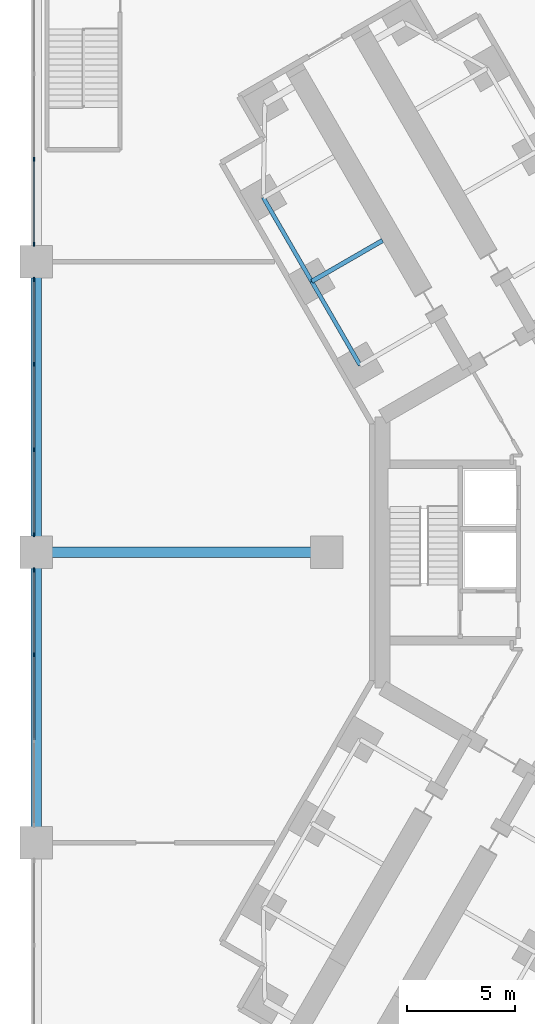
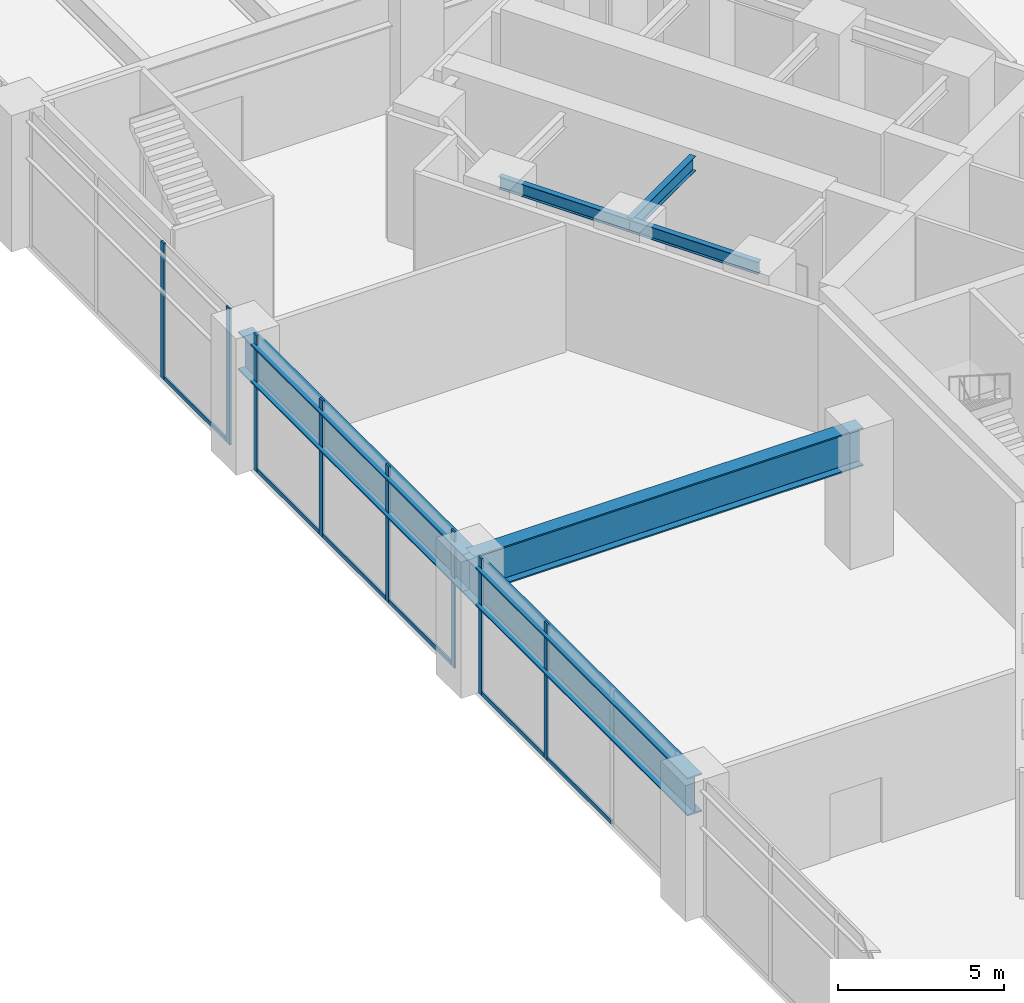
# One storey, part 6 of 31: 14 members, 6 beams, 3 elements without a shape of their own.
"""IFC4 building model written with IfcOpenShell, lengths in metres."""

from ifc_helpers import new_model, si_unit, direction, frame, origin, origin_2d, place, context, subcontext, project, spatial, rectangle, i_section, extrude, material, material_profile, profile_set, type_object, element, aggregate, save


model = new_model("IFC4")

# Units and contexts
model_context = context("Model", 3, precision=1e-05, world=origin(), true_north=direction((0.0, 1.0)))
body_context = subcontext(model_context, "Body", "Model", "MODEL_VIEW")
ifc_project = project(units=[si_unit("LENGTHUNIT", "METRE"), si_unit("AREAUNIT", "SQUARE_METRE"), si_unit("VOLUMEUNIT", "CUBIC_METRE"), si_unit("PLANEANGLEUNIT", "RADIAN"), si_unit("MASSUNIT", "GRAM", prefix="KILO")], contexts=[model_context])

# Site, building, storey
site_placement = place(None, origin())
site = spatial("IfcSite", under=ifc_project, at=site_placement, CompositionType="ELEMENT")
building_placement = place(site_placement, origin())
building = spatial("IfcBuilding", under=site, at=building_placement, Name="Upepo Twin Towers", CompositionType="ELEMENT")
storey_placement = place(building_placement, frame((0.0, 0.0, 15.5)))
storey = spatial("IfcBuildingStorey", under=building, at=storey_placement, Name="L03", CompositionType="ELEMENT", Elevation=15.5)

# Beams
ifc_material_1 = material(Name="Steel S355", Category="steel")
ifc_material_profile_1 = material_profile(ifc_material_1, i_section(OverallWidth=0.5, OverallDepth=1.39990234375, WebThickness=0.02490234375, FlangeThickness=0.050048828125, FilletRadius=0.008056640625, at=origin_2d()), Name="PG 1400x500x25x50")
ifc_profile_set_1 = profile_set([ifc_material_profile_1], Name="Steel S355")
beam_type_1 = type_object("IfcBeamType", Name="Beam PG 1400x500x25x50", PredefinedType="BEAM", material=ifc_profile_set_1)
for number, where, z_axis, x_axis, name in (
    (1, (-27.0, 0.0, 3.949951171875), (1.0, 0.0, 0.0), (0.0, 1.0, 0.0), "Podium girder D/1-2"),
    (2, (-27.0, -13.5, 3.949951171875), (0.0, 1.0, 0.0), (-1.0, 0.0, 0.0), "Podium girder 1/C-D"),
    (3, (-27.0, 0.0, 3.949951171875), (0.0, 1.0, 0.0), (-1.0, 0.0, 0.0), "Podium girder 1/D-E"),
):
    element("IfcBeam", number, at=place(storey_placement, frame(where, z_axis=z_axis, x_axis=x_axis)), inside=storey, type_object=beam_type_1, Name=name, PredefinedType="BEAM", context=body_context, shape_type="SweptSolid", body=[
        extrude(i_section(OverallWidth=0.5, OverallDepth=1.39990234375, WebThickness=0.02490234375, FlangeThickness=0.050048828125, FilletRadius=0.008056640625, at=origin_2d()), origin(), (0.0, 0.0, 1.0), 13.5),
    ])
ifc_material_2 = material(Name="Steel S355", Category="steel")
ifc_material_profile_2 = material_profile(ifc_material_2, i_section(OverallWidth=0.1904296875, OverallDepth=0.45703125, WebThickness=0.009033203125, FlangeThickness=0.014404296875, FilletRadius=0.01025390625, at=origin_2d()), Name="UB 457x191x74")
ifc_profile_set_2 = profile_set([ifc_material_profile_2], Name="Steel S355")
beam_type_2 = type_object("IfcBeamType", Name="Beam UB 457x191x74", PredefinedType="BEAM", material=ifc_profile_set_2)
beam_1_placement = place(storey_placement, frame((-11.946044921875, 8.69140625, 4.571533203125), z_axis=(-0.500013631625, 0.866017533419, 0.0), x_axis=(-0.866017533419, -0.500013631625, 0.0)))
element("IfcBeam", 4, at=beam_1_placement, inside=storey, type_object=beam_type_2, Name="T1 edge beam BL 13.5-18.0", PredefinedType="BEAM", context=body_context, shape_type="SweptSolid", body=[
    extrude(i_section(OverallWidth=0.1904296875, OverallDepth=0.45703125, WebThickness=0.009033203125, FlangeThickness=0.014404296875, FilletRadius=0.01025390625, at=origin_2d()), origin(), (0.0, 0.0, 1.0), 4.499755859375),
])
beam_2_placement = place(storey_placement, frame((-14.196044921875, 12.58837890625, 4.571533203125), z_axis=(-0.499990139034, 0.866031096941, 0.0), x_axis=(-0.866031096941, -0.499990139034, 0.0)))
element("IfcBeam", 5, at=beam_2_placement, inside=storey, type_object=beam_type_2, Name="T1 edge beam BL 18.0-22.5", PredefinedType="BEAM", context=body_context, shape_type="SweptSolid", body=[
    extrude(i_section(OverallWidth=0.1904296875, OverallDepth=0.45703125, WebThickness=0.009033203125, FlangeThickness=0.014404296875, FilletRadius=0.01025390625, at=origin_2d()), origin(), (0.0, 0.0, 1.0), 4.5),
])
ifc_material_3 = material(Name="Steel S355", Category="steel")
ifc_material_profile_3 = material_profile(ifc_material_3, i_section(OverallWidth=0.209228515625, OverallDepth=0.533203125, WebThickness=0.010009765625, FlangeThickness=0.015625, FilletRadius=0.0126953125, at=origin_2d()), Name="UB 533x210x92")
ifc_profile_set_3 = profile_set([ifc_material_profile_3], Name="Steel S355")
beam_type_3 = type_object("IfcBeamType", Name="Beam UB 533x210x92", PredefinedType="BEAM", material=ifc_profile_set_3)
beam_3_placement = place(storey_placement, frame((-14.196044921875, 12.58837890625, 4.533447265625), z_axis=(0.866000483506, 0.500043160704, 0.0), x_axis=(-0.500043160704, 0.866000483506, 0.0)))
element("IfcBeam", 6, at=beam_3_placement, inside=storey, type_object=beam_type_3, Name="T1 girder BL at 18.0", PredefinedType="BEAM", context=body_context, shape_type="SweptSolid", body=[
    extrude(i_section(OverallWidth=0.209228515625, OverallDepth=0.533203125, WebThickness=0.010009765625, FlangeThickness=0.015625, FilletRadius=0.0126953125, at=origin_2d()), origin(), (0.0, 0.0, 1.0), 3.800048828125),
])

# Curtain wall, members
ifc_material_4 = material(Name="Aluminium and clear glass", Category="aluminium")
curtain_wall_type = type_object("IfcCurtainWallType", Name="Podium curtain wall PW1", PredefinedType="NOTDEFINED", material=ifc_material_4)
curtain_wall_1_placement = place(storey_placement, origin())
curtain_wall_1 = element("IfcCurtainWall", 7, at=curtain_wall_1_placement, inside=storey, type_object=curtain_wall_type, Name="Podium L03 curtain wall W2", PredefinedType="NOTDEFINED")
ifc_material_5 = material(Name="Aluminium mullion", Category="aluminium")
ifc_material_profile_4 = material_profile(ifc_material_5, rectangle(XDim=0.06494140625, YDim=0.199951171875, at=origin_2d()), Name="MULLION 65x200 PODIUM")
ifc_profile_set_4 = profile_set([ifc_material_profile_4], Name="Aluminium mullion")
member_type_1 = type_object("IfcMemberType", Name="Mullion 65x200 PW1", PredefinedType="MULLION", material=ifc_profile_set_4)
member_1_placement = place(storey_placement, frame((-27.10009765625, 18.26171875, 0.0), z_axis=(0.0, 0.0, 1.0), x_axis=(1.0, 0.0, 0.0)))
member_1 = element("IfcMember", 8, at=member_1_placement, type_object=member_type_1, Name="Podium L03 curtain wall W2 mullion 3", PredefinedType="MULLION", context=body_context, shape_type="SweptSolid", body=[
    extrude(rectangle(XDim=0.06494140625, YDim=0.199951171875, at=origin_2d()), origin(), (0.0, 0.0, 1.0), 5.0),
])
member_2_placement = place(storey_placement, frame((-27.10009765625, 14.3173828125, 0.0), z_axis=(0.0, 0.0, 1.0), x_axis=(1.0, 0.0, 0.0)))
member_2 = element("IfcMember", 9, at=member_2_placement, type_object=member_type_1, Name="Podium L03 curtain wall W2 mullion 4", PredefinedType="MULLION", context=body_context, shape_type="SweptSolid", body=[
    extrude(rectangle(XDim=0.06494140625, YDim=0.199951171875, at=origin_2d()), origin(), (0.0, 0.0, 1.0), 5.0),
])

curtain_wall_2_placement = place(storey_placement, origin())
curtain_wall_2 = element("IfcCurtainWall", 10, at=curtain_wall_2_placement, inside=storey, type_object=curtain_wall_type, Name="Podium L03 curtain wall W3", PredefinedType="NOTDEFINED")
member_3_placement = place(storey_placement, frame((-27.10009765625, 12.6826171875, 0.0), z_axis=(0.0, 0.0, 1.0), x_axis=(1.0, 0.0, 0.0)))
member_3 = element("IfcMember", 11, at=member_3_placement, type_object=member_type_1, Name="Podium L03 curtain wall W3 mullion 1", PredefinedType="MULLION", context=body_context, shape_type="SweptSolid", body=[
    extrude(rectangle(XDim=0.06494140625, YDim=0.199951171875, at=origin_2d()), origin(), (0.0, 0.0, 1.0), 5.0),
])
member_4_placement = place(storey_placement, frame((-27.10009765625, 8.73828125, 0.0), z_axis=(0.0, 0.0, 1.0), x_axis=(1.0, 0.0, 0.0)))
member_4 = element("IfcMember", 12, at=member_4_placement, type_object=member_type_1, Name="Podium L03 curtain wall W3 mullion 2", PredefinedType="MULLION", context=body_context, shape_type="SweptSolid", body=[
    extrude(rectangle(XDim=0.06494140625, YDim=0.199951171875, at=origin_2d()), origin(), (0.0, 0.0, 1.0), 5.0),
])
member_5_placement = place(storey_placement, frame((-27.10009765625, 4.76171875, 0.0), z_axis=(0.0, 0.0, 1.0), x_axis=(1.0, 0.0, 0.0)))
member_5 = element("IfcMember", 13, at=member_5_placement, type_object=member_type_1, Name="Podium L03 curtain wall W3 mullion 3", PredefinedType="MULLION", context=body_context, shape_type="SweptSolid", body=[
    extrude(rectangle(XDim=0.06494140625, YDim=0.199951171875, at=origin_2d()), origin(), (0.0, 0.0, 1.0), 5.0),
])
member_6_placement = place(storey_placement, frame((-27.10009765625, 0.8173828125, 0.0), z_axis=(0.0, 0.0, 1.0), x_axis=(1.0, 0.0, 0.0)))
member_6 = element("IfcMember", 14, at=member_6_placement, type_object=member_type_1, Name="Podium L03 curtain wall W3 mullion 4", PredefinedType="MULLION", context=body_context, shape_type="SweptSolid", body=[
    extrude(rectangle(XDim=0.06494140625, YDim=0.199951171875, at=origin_2d()), origin(), (0.0, 0.0, 1.0), 5.0),
])

curtain_wall_3_placement = place(storey_placement, origin())
curtain_wall_3 = element("IfcCurtainWall", 15, at=curtain_wall_3_placement, inside=storey, type_object=curtain_wall_type, Name="Podium L03 curtain wall W4", PredefinedType="NOTDEFINED")
member_7_placement = place(storey_placement, frame((-27.10009765625, -0.8173828125, 0.0), z_axis=(0.0, 0.0, 1.0), x_axis=(1.0, 0.0, 0.0)))
member_7 = element("IfcMember", 16, at=member_7_placement, type_object=member_type_1, Name="Podium L03 curtain wall W4 mullion 1", PredefinedType="MULLION", context=body_context, shape_type="SweptSolid", body=[
    extrude(rectangle(XDim=0.06494140625, YDim=0.199951171875, at=origin_2d()), origin(), (0.0, 0.0, 1.0), 5.0),
])
member_8_placement = place(storey_placement, frame((-27.10009765625, -4.76171875, 0.0), z_axis=(0.0, 0.0, 1.0), x_axis=(1.0, 0.0, 0.0)))
member_8 = element("IfcMember", 17, at=member_8_placement, type_object=member_type_1, Name="Podium L03 curtain wall W4 mullion 2", PredefinedType="MULLION", context=body_context, shape_type="SweptSolid", body=[
    extrude(rectangle(XDim=0.06494140625, YDim=0.199951171875, at=origin_2d()), origin(), (0.0, 0.0, 1.0), 5.0),
])

# Member
ifc_material_6 = material(Name="Aluminium transom", Category="aluminium")
ifc_material_profile_5 = material_profile(ifc_material_6, rectangle(XDim=0.06494140625, YDim=0.14990234375, at=origin_2d()), Name="TRANSOM 65x150 PODIUM")
ifc_profile_set_5 = profile_set([ifc_material_profile_5], Name="Aluminium transom")
member_type_2 = type_object("IfcMemberType", Name="Transom 65x150 PW1", PredefinedType="USERDEFINED", material=ifc_profile_set_5)
member_9_placement = place(storey_placement, frame((-27.10009765625, 18.229248046875, 0.074951171875), z_axis=(0.0, -1.0, 0.0), x_axis=(1.0, 0.0, 0.0)))
member_9 = element("IfcMember", 18, at=member_9_placement, type_object=member_type_2, Name="Podium L03 curtain wall W2 transom 3", ObjectType="TRANSOM", PredefinedType="USERDEFINED", context=body_context, shape_type="SweptSolid", body=[
    extrude(rectangle(XDim=0.06494140625, YDim=0.14990234375, at=origin_2d()), origin(), (0.0, 0.0, 1.0), 3.879150390625),
])

aggregate(curtain_wall_1, [member_1, member_2, member_9])

member_10_placement = place(storey_placement, frame((-27.10009765625, 12.64990234375, 0.074951171875), z_axis=(0.0, -1.0, 0.0), x_axis=(1.0, 0.0, 0.0)))
member_10 = element("IfcMember", 19, at=member_10_placement, type_object=member_type_2, Name="Podium L03 curtain wall W3 transom 1", ObjectType="TRANSOM", PredefinedType="USERDEFINED", context=body_context, shape_type="SweptSolid", body=[
    extrude(rectangle(XDim=0.06494140625, YDim=0.14990234375, at=origin_2d()), origin(), (0.0, 0.0, 1.0), 3.879150390625),
])

member_11_placement = place(storey_placement, frame((-27.10009765625, 8.705810546875, 0.074951171875), z_axis=(0.0, -1.0, 0.0), x_axis=(1.0, 0.0, 0.0)))
member_11 = element("IfcMember", 20, at=member_11_placement, type_object=member_type_2, Name="Podium L03 curtain wall W3 transom 2", ObjectType="TRANSOM", PredefinedType="USERDEFINED", context=body_context, shape_type="SweptSolid", body=[
    extrude(rectangle(XDim=0.06494140625, YDim=0.14990234375, at=origin_2d()), origin(), (0.0, 0.0, 1.0), 3.91162109375),
])

member_12_placement = place(storey_placement, frame((-27.10009765625, 4.729248046875, 0.074951171875), z_axis=(0.0, -1.0, 0.0), x_axis=(1.0, 0.0, 0.0)))
member_12 = element("IfcMember", 21, at=member_12_placement, type_object=member_type_2, Name="Podium L03 curtain wall W3 transom 3", ObjectType="TRANSOM", PredefinedType="USERDEFINED", context=body_context, shape_type="SweptSolid", body=[
    extrude(rectangle(XDim=0.06494140625, YDim=0.14990234375, at=origin_2d()), origin(), (0.0, 0.0, 1.0), 3.879150390625),
])

aggregate(curtain_wall_2, [member_3, member_4, member_5, member_6, member_10, member_11, member_12])

member_13_placement = place(storey_placement, frame((-27.10009765625, -0.85009765625, 0.074951171875), z_axis=(0.0, -1.0, 0.0), x_axis=(1.0, 0.0, 0.0)))
member_13 = element("IfcMember", 22, at=member_13_placement, type_object=member_type_2, Name="Podium L03 curtain wall W4 transom 1", ObjectType="TRANSOM", PredefinedType="USERDEFINED", context=body_context, shape_type="SweptSolid", body=[
    extrude(rectangle(XDim=0.06494140625, YDim=0.14990234375, at=origin_2d()), origin(), (0.0, 0.0, 1.0), 3.879150390625),
])

member_14_placement = place(storey_placement, frame((-27.10009765625, -4.794189453125, 0.074951171875), z_axis=(0.0, -1.0, 0.0), x_axis=(1.0, 0.0, 0.0)))
member_14 = element("IfcMember", 23, at=member_14_placement, type_object=member_type_2, Name="Podium L03 curtain wall W4 transom 2", ObjectType="TRANSOM", PredefinedType="USERDEFINED", context=body_context, shape_type="SweptSolid", body=[
    extrude(rectangle(XDim=0.06494140625, YDim=0.14990234375, at=origin_2d()), origin(), (0.0, 0.0, 1.0), 3.91162109375),
])

aggregate(curtain_wall_3, [member_7, member_8, member_13, member_14])

save(model, "model.ifc")
